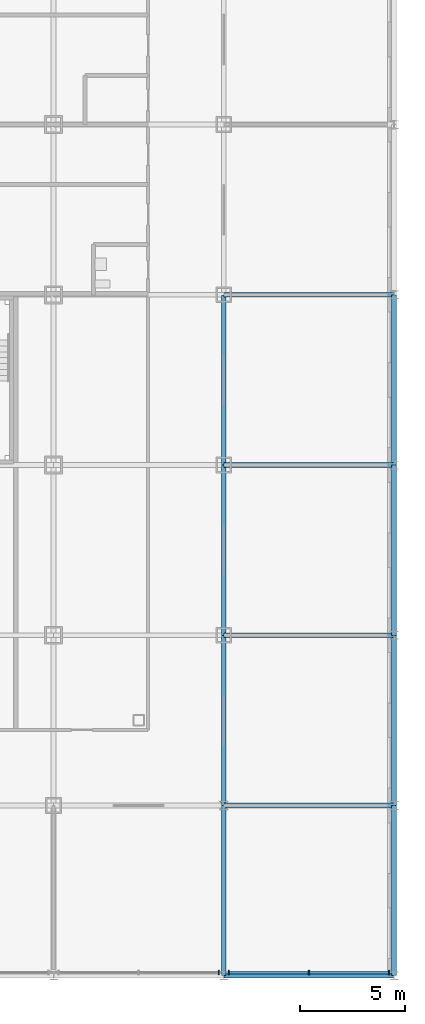
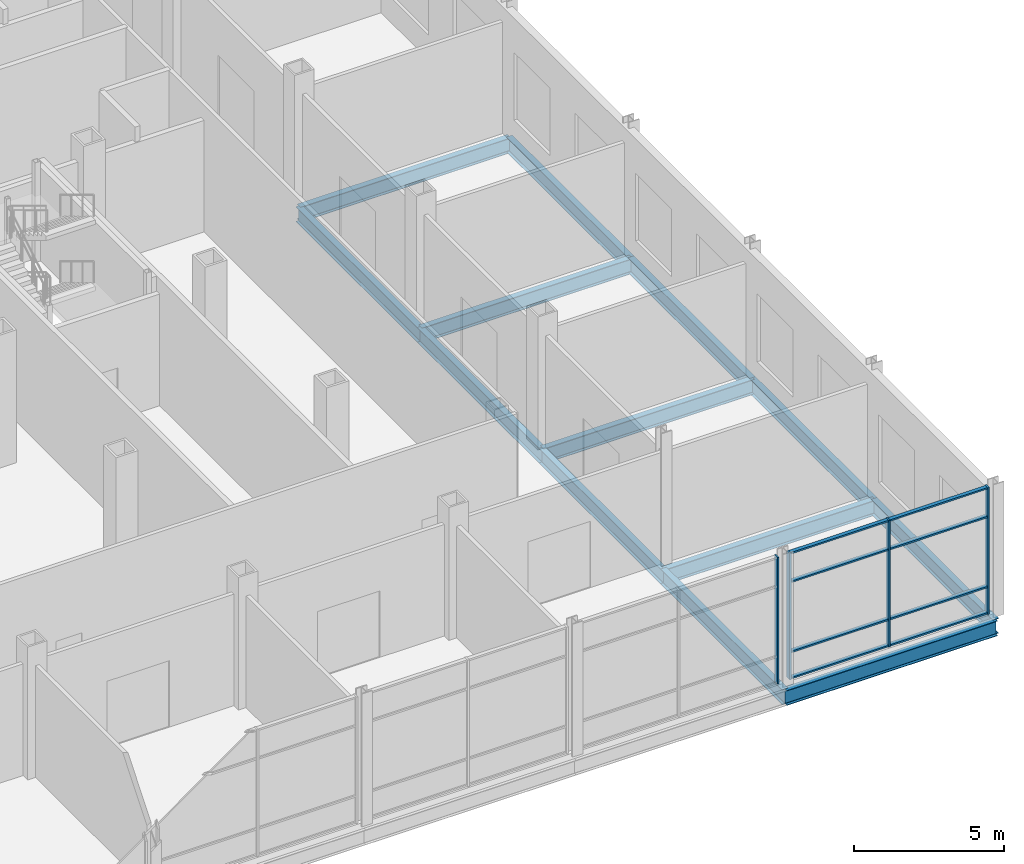
# One storey, part 17 of 30: 13 beams, 12 members, 2 elements without a shape of their own.
"""IFC4 building model written with IfcOpenShell, lengths in metres."""

import ifcopenshell
import ifcopenshell.guid

model = None  # the IFC model being written
_history = None  # IfcOwnerHistory: only IFC2X3 demands one
_inside = {}  # id of a spatial element -> (the spatial element, [elements in it])
_under = {}  # id of a project, library or spatial element -> (it, [spatial elements below it])
_declared = {}  # id of a project -> (the project, [libraries it declares])
_typed = {}  # id of a type object -> (the type object, [elements of that type])
_made_of = {}  # id of a material, layer set ... -> (it, [elements and type objects made of it])


def new_model(schema):
    """Start an empty IFC model of exactly this schema.

    Asked for "IFC4X3", IfcOpenShell would pick the latest addendum, in which some entities
    have other attributes; the version numbers below select the first issue.
    IFC2X3 requires an IfcOwnerHistory on every rooted entity: one is made here for all.
    """
    global model, _history
    if schema == "IFC4X3":
        model = ifcopenshell.file(schema_version=(4, 3, 0, 0))
    else:
        model = ifcopenshell.file(schema=schema)
    _inside.clear()
    _under.clear()
    _declared.clear()
    _typed.clear()
    _made_of.clear()
    _history = None
    if model.schema == "IFC2X3":
        org = make("IfcOrganization", Name="unknown")
        user = make(
            "IfcPersonAndOrganization",
            ThePerson=make("IfcPerson", FamilyName="unknown"),
            TheOrganization=org,
        )
        app = make(
            "IfcApplication",
            ApplicationDeveloper=org,
            Version="unknown",
            ApplicationFullName="unknown",
            ApplicationIdentifier="unknown",
        )
        _history = make(
            "IfcOwnerHistory",
            OwningUser=user,
            OwningApplication=app,
            ChangeAction="ADDED",
            CreationDate=0,
        )
    return model


def make(cls, **values):
    """One entity of the class cls with the attributes given. An attribute that is None is left unset."""
    return model.create_entity(
        cls, **{name: value for name, value in values.items() if value is not None}
    )


def rooted(cls, **values):
    """An entity with a GlobalId (a new one), such as an element, a storey or a relation."""
    return make(cls, GlobalId=ifcopenshell.guid.new(), OwnerHistory=_history, **values)


def si_unit(unit_type, name, prefix=None):
    """IfcSIUnit, for example si_unit("LENGTHUNIT", "METRE", prefix="MILLI")."""
    return make("IfcSIUnit", UnitType=unit_type, Prefix=prefix, Name=name)


def assignment(units):
    """IfcUnitAssignment: the units of a project."""
    return None if units is None else make("IfcUnitAssignment", Units=units)


def point(xyz):
    """IfcCartesianPoint."""
    return None if xyz is None else make("IfcCartesianPoint", Coordinates=xyz)


def direction(xyz):
    """IfcDirection."""
    return None if xyz is None else make("IfcDirection", DirectionRatios=xyz)


def frame(location, z_axis=None, x_axis=None):
    """IfcAxis2Placement3D, a coordinate frame: its origin and axes. An axis left out is left unset."""
    return make(
        "IfcAxis2Placement3D",
        Location=point(location),
        Axis=direction(z_axis),
        RefDirection=direction(x_axis),
    )


def frame_2d(location, x_axis=None):
    """IfcAxis2Placement2D, a coordinate frame in the plane: its origin and x axis."""
    return make(
        "IfcAxis2Placement2D", Location=point(location), RefDirection=direction(x_axis)
    )


def origin():
    """The frame at (0, 0, 0) with its axes left unset."""
    return frame((0.0, 0.0, 0.0))


def origin_2d():
    """The frame at (0, 0) in the plane with its x axis left unset."""
    return frame_2d((0.0, 0.0))


def place(relative_to, where):
    """IfcLocalPlacement: puts the frame where relative to a parent placement (None: the world)."""
    return make(
        "IfcLocalPlacement", PlacementRelTo=relative_to, RelativePlacement=where
    )


def context(
    kind, dimensions, precision=None, world=None, true_north=None, identifier=None
):
    """IfcGeometricRepresentationContext, for example the 3D "Model" context."""
    return make(
        "IfcGeometricRepresentationContext",
        ContextIdentifier=identifier,
        ContextType=kind,
        CoordinateSpaceDimension=dimensions,
        Precision=precision,
        WorldCoordinateSystem=world,
        TrueNorth=true_north,
    )


def subcontext(parent, identifier, kind, view, scale=None):
    """IfcGeometricRepresentationSubContext, for example "Body" below "Model"."""
    return make(
        "IfcGeometricRepresentationSubContext",
        ContextIdentifier=identifier,
        ContextType=kind,
        ParentContext=parent,
        TargetScale=scale,
        TargetView=view,
    )


def project(units=None, contexts=None):
    """IfcProject with its units and contexts."""
    return rooted(
        "IfcProject",
        Name="project",
        RepresentationContexts=contexts,
        UnitsInContext=assignment(units),
    )


def spatial(cls, under=None, at=None, **own):
    """A site, building, storey or space (cls), placed at a placement, below another one or the project."""
    s = rooted(cls, ObjectPlacement=at, **own)
    if under is not None:
        _under.setdefault(under.id(), (under, []))[1].append(s)
    return s


def profile(cls, at=None, kind="AREA", **sizes):
    """A parametric profile (cls). Its sizes go by their IFC names, for example OverallWidth=200.0."""
    return make(cls, ProfileType=kind, Position=at, **sizes)


def rectangle(**sizes):
    """IfcRectangleProfileDef."""
    return profile("IfcRectangleProfileDef", **sizes)


def i_section(**sizes):
    """IfcIShapeProfileDef."""
    return profile("IfcIShapeProfileDef", **sizes)


def extrude(swept, where, along, depth):
    """IfcExtrudedAreaSolid: the profile swept, set in the frame where, extruded along a direction by depth."""
    return make(
        "IfcExtrudedAreaSolid",
        SweptArea=swept,
        Position=where,
        ExtrudedDirection=direction(along),
        Depth=depth,
    )


def shape(context_of_items, identifier, shape_type, items):
    """IfcShapeRepresentation: the items that make up one representation, for example the "Body"."""
    return make(
        "IfcShapeRepresentation",
        ContextOfItems=context_of_items,
        RepresentationIdentifier=identifier,
        RepresentationType=shape_type,
        Items=items,
    )


def material(Name=None, Category=None):
    """IfcMaterial."""
    return make("IfcMaterial", Name=Name, Category=Category)


def material_profile(
    of_material, cross_section, Name=None, Category=None, Priority=None
):
    """IfcMaterialProfile: a cross section and its material."""
    return make(
        "IfcMaterialProfile",
        Name=Name,
        Material=of_material,
        Profile=cross_section,
        Priority=Priority,
        Category=Category,
    )


def profile_set(profiles, Name=None, composite=None):
    """IfcMaterialProfileSet."""
    return make(
        "IfcMaterialProfileSet",
        Name=Name,
        MaterialProfiles=profiles,
        CompositeProfile=composite,
    )


def made_of(thing, what):
    """Note that an element or type object is made of a material, layer set ...; save() writes the relation."""
    if what is not None:
        _made_of.setdefault(what.id(), (what, []))[1].append(thing)
    return thing


def type_object(cls, material=None, **own):
    """A type object (cls), such as IfcWallType, which elements share."""
    return made_of(rooted(cls, **own), material)


def element(
    cls,
    number,
    at=None,
    inside=None,
    cuts=None,
    type_object=None,
    material=None,
    context=None,
    identifier="Body",
    shape_type=None,
    held_by="IfcProductDefinitionShape",
    body=None,
    shapes=None,
    **own,
):
    """One element of the class cls, such as IfcWall. Its Tag is "e" and its number.

    at: its placement. inside: the storey or other place that contains it. cuts: it is an
    opening in that element (IfcRelVoidsElement). A single representation is given by context,
    identifier, shape_type and body (its items); several are given by shapes. held_by: the class
    of the entity that holds the representations. save() writes the other relations.
    """
    e = rooted(cls, Tag="e%d" % number, ObjectPlacement=at, **own)
    if body is not None:
        shapes = [shape(context, identifier, shape_type, body)]
    if shapes is not None:
        e.Representation = make(held_by, Representations=shapes)
    if inside is not None:
        _inside.setdefault(inside.id(), (inside, []))[1].append(e)
    if cuts is not None:
        rooted(
            "IfcRelVoidsElement", RelatingBuildingElement=cuts, RelatedOpeningElement=e
        )
    if type_object is not None:
        _typed.setdefault(type_object.id(), (type_object, []))[1].append(e)
    return made_of(e, material)


def aggregate(whole, parts):
    """IfcRelAggregates: a whole, such as a stair, and the parts it consists of."""
    return rooted("IfcRelAggregates", RelatingObject=whole, RelatedObjects=parts)


def save(model, path):
    """Write the relations noted so far, then the file.

    IfcRelAggregates (storeys below a building ...), IfcRelContainedInSpatialStructure (elements
    in a storey), IfcRelDefinesByType, IfcRelAssociatesMaterial and IfcRelDeclares: one each for
    every whole, place, type object, material and project.
    """
    for whole, parts in _under.values():
        aggregate(whole, parts)
    for where, things in _inside.values():
        rooted(
            "IfcRelContainedInSpatialStructure",
            RelatedElements=things,
            RelatingStructure=where,
        )
    for kind, things in _typed.values():
        rooted("IfcRelDefinesByType", RelatedObjects=things, RelatingType=kind)
    for what, things in _made_of.values():
        rooted("IfcRelAssociatesMaterial", RelatedObjects=things, RelatingMaterial=what)
    for by, libraries in _declared.values():
        rooted("IfcRelDeclares", RelatingContext=by, RelatedDefinitions=libraries)
    model.write(path)


model = new_model("IFC4")

# Units and contexts
model_context = context("Model", 3, precision=1e-05, world=origin(), true_north=direction((0.0, 1.0)))
body_context = subcontext(model_context, "Body", "Model", "MODEL_VIEW")
ifc_project = project(units=[si_unit("LENGTHUNIT", "METRE"), si_unit("AREAUNIT", "SQUARE_METRE"), si_unit("VOLUMEUNIT", "CUBIC_METRE"), si_unit("PLANEANGLEUNIT", "RADIAN"), si_unit("MASSUNIT", "GRAM", prefix="KILO")], contexts=[model_context])

# Site, building, storey
site_placement = place(None, origin())
site = spatial("IfcSite", under=ifc_project, at=site_placement, CompositionType="ELEMENT")
building_placement = place(site_placement, origin())
building = spatial("IfcBuilding", under=site, at=building_placement, Name="Kopane Lantern Tower", CompositionType="ELEMENT")
storey_placement = place(building_placement, frame((0.0, 0.0, 6.0)))
storey = spatial("IfcBuildingStorey", under=building, at=storey_placement, Name="L01", CompositionType="ELEMENT", Elevation=6.0)

# Beams
ifc_material_1 = material(Name="Steel S355JR", Category="steel")
ifc_material_profile_1 = material_profile(ifc_material_1, i_section(OverallWidth=0.22900390625, OverallDepth=0.6123046875, WebThickness=0.011962890625, FlangeThickness=0.01953125, FilletRadius=0.0126953125, at=origin_2d()), Name="UB 610x229x125")
ifc_profile_set_1 = profile_set([ifc_material_profile_1], Name="Steel S355JR")
beam_type = type_object("IfcBeamType", Name="GIRDER UB 610x229x125", PredefinedType="BEAM", material=ifc_profile_set_1)
for number, where, z_axis, x_axis, name in (
    (1, (56.699951171875, -8.10009765625, -0.55615234375), (0.0, 1.0, 0.0), (-1.0, 0.0, 0.0), "Girder L01"),
    (2, (56.699951171875, -8.10009765625, -0.55615234375), (1.0, 0.0, 0.0), (0.0, 1.0, 0.0), "Girder L01"),
    (3, (56.699951171875, 0.0, -0.55615234375), (0.0, 1.0, 0.0), (-1.0, 0.0, 0.0), "Girder L01"),
    (4, (56.699951171875, 0.0, -0.55615234375), (1.0, 0.0, 0.0), (0.0, 1.0, 0.0), "Girder L01"),
):
    element("IfcBeam", number, at=place(storey_placement, frame(where, z_axis=z_axis, x_axis=x_axis)), inside=storey, type_object=beam_type, Name=name, PredefinedType="BEAM", context=body_context, shape_type="SweptSolid", body=[
        extrude(i_section(OverallWidth=0.22900390625, OverallDepth=0.6123046875, WebThickness=0.011962890625, FlangeThickness=0.01953125, FilletRadius=0.0126953125, at=origin_2d()), origin(), (0.0, 0.0, 1.0), 8.10009765625),
    ])
beam_1_placement = place(storey_placement, frame((56.699951171875, 8.10009765625, -0.55615234375), z_axis=(0.0, 1.0, 0.0), x_axis=(-1.0, 0.0, 0.0)))
element("IfcBeam", 5, at=beam_1_placement, inside=storey, type_object=beam_type, Name="Girder L01", PredefinedType="BEAM", context=body_context, shape_type="SweptSolid", body=[
    extrude(i_section(OverallWidth=0.22900390625, OverallDepth=0.6123046875, WebThickness=0.011962890625, FlangeThickness=0.01953125, FilletRadius=0.0126953125, at=origin_2d()), origin(), (0.0, 0.0, 1.0), 8.099853515625),
])
for number, where, z_axis, x_axis, name in (
    (6, (56.699951171875, 8.10009765625, -0.55615234375), (1.0, 0.0, 0.0), (0.0, 1.0, 0.0), "Girder L01"),
    (7, (56.699951171875, 16.199951171875, -0.55615234375), (0.0, 1.0, 0.0), (-1.0, 0.0, 0.0), "Girder L01"),
    (8, (56.699951171875, 16.199951171875, -0.55615234375), (1.0, 0.0, 0.0), (0.0, 1.0, 0.0), "Girder L01"),
    (9, (56.699951171875, 24.300048828125, -0.55615234375), (1.0, 0.0, 0.0), (0.0, 1.0, 0.0), "Girder L01"),
    (10, (64.800048828125, -8.10009765625, -0.55615234375), (0.0, 1.0, 0.0), (-1.0, 0.0, 0.0), "Girder L01"),
    (11, (64.800048828125, 0.0, -0.55615234375), (0.0, 1.0, 0.0), (-1.0, 0.0, 0.0), "Girder L01"),
):
    element("IfcBeam", number, at=place(storey_placement, frame(where, z_axis=z_axis, x_axis=x_axis)), inside=storey, type_object=beam_type, Name=name, PredefinedType="BEAM", context=body_context, shape_type="SweptSolid", body=[
        extrude(i_section(OverallWidth=0.22900390625, OverallDepth=0.6123046875, WebThickness=0.011962890625, FlangeThickness=0.01953125, FilletRadius=0.0126953125, at=origin_2d()), origin(), (0.0, 0.0, 1.0), 8.10009765625),
    ])
beam_2_placement = place(storey_placement, frame((64.800048828125, 8.10009765625, -0.55615234375), z_axis=(0.0, 1.0, 0.0), x_axis=(-1.0, 0.0, 0.0)))
element("IfcBeam", 12, at=beam_2_placement, inside=storey, type_object=beam_type, Name="Girder L01", PredefinedType="BEAM", context=body_context, shape_type="SweptSolid", body=[
    extrude(i_section(OverallWidth=0.22900390625, OverallDepth=0.6123046875, WebThickness=0.011962890625, FlangeThickness=0.01953125, FilletRadius=0.0126953125, at=origin_2d()), origin(), (0.0, 0.0, 1.0), 8.099853515625),
])
beam_3_placement = place(storey_placement, frame((64.800048828125, 16.199951171875, -0.55615234375), z_axis=(0.0, 1.0, 0.0), x_axis=(-1.0, 0.0, 0.0)))
element("IfcBeam", 13, at=beam_3_placement, inside=storey, type_object=beam_type, Name="Girder L01", PredefinedType="BEAM", context=body_context, shape_type="SweptSolid", body=[
    extrude(i_section(OverallWidth=0.22900390625, OverallDepth=0.6123046875, WebThickness=0.011962890625, FlangeThickness=0.01953125, FilletRadius=0.0126953125, at=origin_2d()), origin(), (0.0, 0.0, 1.0), 8.10009765625),
])

# Curtain wall, member
ifc_material_2 = material(Name="Aluminium and clear glass", Category="aluminium")
curtain_wall_type = type_object("IfcCurtainWallType", Name="CURTAIN WALL CW1 PODIUM STOREFRONT", PredefinedType="USERDEFINED", material=ifc_material_2)
curtain_wall_1_placement = place(storey_placement, origin())
curtain_wall_1 = element("IfcCurtainWall", 14, at=curtain_wall_1_placement, inside=storey, type_object=curtain_wall_type, Name="Curtain wall CW1 S L01", ObjectType="CURTAIN WALL", PredefinedType="USERDEFINED")
ifc_material_3 = material(Name="Aluminium", Category="aluminium")
ifc_material_profile_2 = material_profile(ifc_material_3, rectangle(XDim=0.06494140625, YDim=0.199951171875, at=origin_2d()), Name="AL 65x200")
ifc_profile_set_2 = profile_set([ifc_material_profile_2], Name="Aluminium")
member_type_1 = type_object("IfcMemberType", Name="MULLION CW1-M 65x200", PredefinedType="MULLION", material=ifc_profile_set_2)
member_1_placement = place(storey_placement, frame((56.4609375, -7.949951171875, 0.0), z_axis=(0.0, 0.0, 1.0), x_axis=(1.0, 0.0, 0.0)))
member_1 = element("IfcMember", 15, at=member_1_placement, type_object=member_type_1, Name="CW1 mullion 3", PredefinedType="MULLION", context=body_context, shape_type="SweptSolid", body=[
    extrude(rectangle(XDim=0.06494140625, YDim=0.199951171875, at=origin_2d()), origin(), (0.0, 0.0, 1.0), 5.14990234375),
])
aggregate(curtain_wall_1, [member_1])

# Curtain wall, members
curtain_wall_2_placement = place(storey_placement, origin())
curtain_wall_2 = element("IfcCurtainWall", 16, at=curtain_wall_2_placement, inside=storey, type_object=curtain_wall_type, Name="Curtain wall CW1 S L01", ObjectType="CURTAIN WALL", PredefinedType="USERDEFINED")
member_2_placement = place(storey_placement, frame((56.93896484375, -7.949951171875, 0.0), z_axis=(0.0, 0.0, 1.0), x_axis=(1.0, 0.0, 0.0)))
member_2 = element("IfcMember", 17, at=member_2_placement, type_object=member_type_1, Name="CW1 mullion 1", PredefinedType="MULLION", context=body_context, shape_type="SweptSolid", body=[
    extrude(rectangle(XDim=0.06494140625, YDim=0.199951171875, at=origin_2d()), origin(), (0.0, 0.0, 1.0), 5.14990234375),
])
member_3_placement = place(storey_placement, frame((60.75, -7.949951171875, 0.0), z_axis=(0.0, 0.0, 1.0), x_axis=(1.0, 0.0, 0.0)))
member_3 = element("IfcMember", 18, at=member_3_placement, type_object=member_type_1, Name="CW1 mullion 2", PredefinedType="MULLION", context=body_context, shape_type="SweptSolid", body=[
    extrude(rectangle(XDim=0.06494140625, YDim=0.199951171875, at=origin_2d()), origin(), (0.0, 0.0, 1.0), 5.14990234375),
])
member_4_placement = place(storey_placement, frame((64.56103515625, -7.949951171875, 0.0), z_axis=(0.0, 0.0, 1.0), x_axis=(1.0, 0.0, 0.0)))
member_4 = element("IfcMember", 19, at=member_4_placement, type_object=member_type_1, Name="CW1 mullion 3", PredefinedType="MULLION", context=body_context, shape_type="SweptSolid", body=[
    extrude(rectangle(XDim=0.06494140625, YDim=0.199951171875, at=origin_2d()), origin(), (0.0, 0.0, 1.0), 5.14990234375),
])
ifc_material_4 = material(Name="Aluminium", Category="aluminium")
ifc_material_profile_3 = material_profile(ifc_material_4, rectangle(XDim=0.14990234375, YDim=0.06494140625, at=origin_2d()), Name="AL 150x65")
ifc_profile_set_3 = profile_set([ifc_material_profile_3], Name="Aluminium")
member_type_2 = type_object("IfcMemberType", Name="TRANSOM CW1-T 65x150", PredefinedType="USERDEFINED", material=ifc_profile_set_3)
member_5_placement = place(storey_placement, frame((56.971435546875, -7.949951171875, 0.032470703125), z_axis=(1.0, 0.0, 0.0), x_axis=(0.0, 1.0, 0.0)))
member_5 = element("IfcMember", 20, at=member_5_placement, type_object=member_type_2, Name="CW1 transom 1.1", ObjectType="TRANSOM", PredefinedType="USERDEFINED", context=body_context, shape_type="SweptSolid", body=[
    extrude(rectangle(XDim=0.14990234375, YDim=0.06494140625, at=origin_2d()), origin(), (0.0, 0.0, 1.0), 3.74609375),
])
member_6_placement = place(storey_placement, frame((56.971435546875, -7.949951171875, 1.10009765625), z_axis=(1.0, 0.0, 0.0), x_axis=(0.0, 1.0, 0.0)))
member_6 = element("IfcMember", 21, at=member_6_placement, type_object=member_type_2, Name="CW1 transom 1.2", ObjectType="TRANSOM", PredefinedType="USERDEFINED", context=body_context, shape_type="SweptSolid", body=[
    extrude(rectangle(XDim=0.14990234375, YDim=0.06494140625, at=origin_2d()), origin(), (0.0, 0.0, 1.0), 3.74609375),
])
member_7_placement = place(storey_placement, frame((56.971435546875, -7.949951171875, 3.949951171875), z_axis=(1.0, 0.0, 0.0), x_axis=(0.0, 1.0, 0.0)))
member_7 = element("IfcMember", 22, at=member_7_placement, type_object=member_type_2, Name="CW1 transom 1.3", ObjectType="TRANSOM", PredefinedType="USERDEFINED", context=body_context, shape_type="SweptSolid", body=[
    extrude(rectangle(XDim=0.14990234375, YDim=0.06494140625, at=origin_2d()), origin(), (0.0, 0.0, 1.0), 3.74609375),
])
member_8_placement = place(storey_placement, frame((56.971435546875, -7.949951171875, 5.117431640625), z_axis=(1.0, 0.0, 0.0), x_axis=(0.0, 1.0, 0.0)))
member_8 = element("IfcMember", 23, at=member_8_placement, type_object=member_type_2, Name="CW1 transom 1.4", ObjectType="TRANSOM", PredefinedType="USERDEFINED", context=body_context, shape_type="SweptSolid", body=[
    extrude(rectangle(XDim=0.14990234375, YDim=0.06494140625, at=origin_2d()), origin(), (0.0, 0.0, 1.0), 3.74609375),
])
member_9_placement = place(storey_placement, frame((60.782470703125, -7.949951171875, 0.032470703125), z_axis=(1.0, 0.0, 0.0), x_axis=(0.0, 1.0, 0.0)))
member_9 = element("IfcMember", 24, at=member_9_placement, type_object=member_type_2, Name="CW1 transom 2.1", ObjectType="TRANSOM", PredefinedType="USERDEFINED", context=body_context, shape_type="SweptSolid", body=[
    extrude(rectangle(XDim=0.14990234375, YDim=0.06494140625, at=origin_2d()), origin(), (0.0, 0.0, 1.0), 3.74609375),
])
member_10_placement = place(storey_placement, frame((60.782470703125, -7.949951171875, 1.10009765625), z_axis=(1.0, 0.0, 0.0), x_axis=(0.0, 1.0, 0.0)))
member_10 = element("IfcMember", 25, at=member_10_placement, type_object=member_type_2, Name="CW1 transom 2.2", ObjectType="TRANSOM", PredefinedType="USERDEFINED", context=body_context, shape_type="SweptSolid", body=[
    extrude(rectangle(XDim=0.14990234375, YDim=0.06494140625, at=origin_2d()), origin(), (0.0, 0.0, 1.0), 3.74609375),
])
member_11_placement = place(storey_placement, frame((60.782470703125, -7.949951171875, 3.949951171875), z_axis=(1.0, 0.0, 0.0), x_axis=(0.0, 1.0, 0.0)))
member_11 = element("IfcMember", 26, at=member_11_placement, type_object=member_type_2, Name="CW1 transom 2.3", ObjectType="TRANSOM", PredefinedType="USERDEFINED", context=body_context, shape_type="SweptSolid", body=[
    extrude(rectangle(XDim=0.14990234375, YDim=0.06494140625, at=origin_2d()), origin(), (0.0, 0.0, 1.0), 3.74609375),
])
member_12_placement = place(storey_placement, frame((60.782470703125, -7.949951171875, 5.117431640625), z_axis=(1.0, 0.0, 0.0), x_axis=(0.0, 1.0, 0.0)))
member_12 = element("IfcMember", 27, at=member_12_placement, type_object=member_type_2, Name="CW1 transom 2.4", ObjectType="TRANSOM", PredefinedType="USERDEFINED", context=body_context, shape_type="SweptSolid", body=[
    extrude(rectangle(XDim=0.14990234375, YDim=0.06494140625, at=origin_2d()), origin(), (0.0, 0.0, 1.0), 3.74609375),
])
aggregate(curtain_wall_2, [member_2, member_3, member_4, member_5, member_6, member_7, member_8, member_9, member_10, member_11, member_12])

save(model, "model.ifc")
